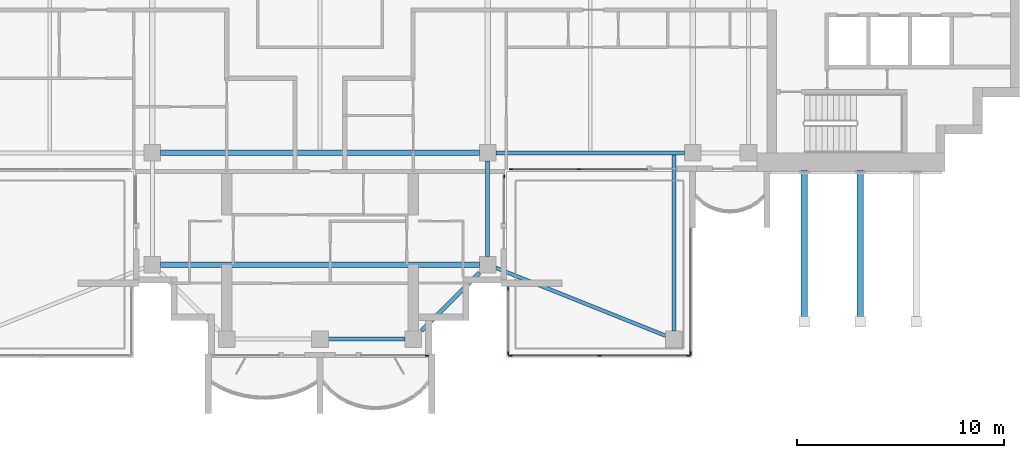
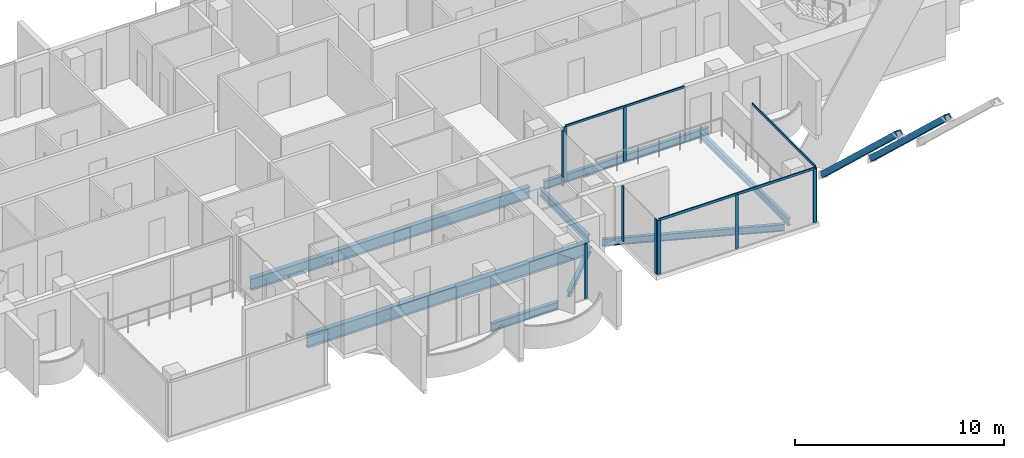
# One storey, part 3 of 18: 15 members, 8 beams, 6 elements without a shape of their own.
"""IFC4 building model written with IfcOpenShell, lengths in metres."""

from ifc_helpers import new_model, si_unit, direction, frame, origin, origin_2d, place, context, subcontext, project, spatial, rectangle, hollow_rectangle, i_section, extrude, material, material_profile, profile_set, type_object, element, aggregate, save


model = new_model("IFC4")

# Units and contexts
model_context = context("Model", 3, precision=1e-05, world=origin(), true_north=direction((0.0, 1.0)))
body_context = subcontext(model_context, "Body", "Model", "MODEL_VIEW")
ifc_project = project(units=[si_unit("LENGTHUNIT", "METRE"), si_unit("AREAUNIT", "SQUARE_METRE"), si_unit("VOLUMEUNIT", "CUBIC_METRE"), si_unit("PLANEANGLEUNIT", "RADIAN"), si_unit("MASSUNIT", "GRAM", prefix="KILO")], contexts=[model_context])

# Site, building, storey
site_placement = place(None, origin())
site = spatial("IfcSite", under=ifc_project, at=site_placement, CompositionType="ELEMENT")
building_placement = place(site_placement, origin())
building = spatial("IfcBuilding", under=site, at=building_placement, Name="Perihelion Cross Residences", CompositionType="ELEMENT")
storey_placement = place(building_placement, frame((0.0, 0.0, 281.5)))
storey = spatial("IfcBuildingStorey", under=building, at=storey_placement, Name="L72", CompositionType="ELEMENT", Elevation=281.5)

# Curtain wall, member
ifc_material_1 = material(Name="Bronze anodised aluminium, tinted glazing", Category="aluminium")
curtain_wall_type_1 = type_object("IfcCurtainWallType", Name="CW1", PredefinedType="NOTDEFINED", material=ifc_material_1)
curtain_wall_1_placement = place(storey_placement, origin())
curtain_wall_1 = element("IfcCurtainWall", 1, at=curtain_wall_1_placement, inside=storey, type_object=curtain_wall_type_1, Name="Curtain wall CW1 L72 south tip south bay 2", PredefinedType="NOTDEFINED")
ifc_material_2 = material(Name="Bronze anodised aluminium", Category="aluminium")
ifc_material_profile_1 = material_profile(ifc_material_2, rectangle(XDim=0.06005859375, YDim=0.159912109375, at=origin_2d()), Name="CW1 mullion")
ifc_profile_set_1 = profile_set([ifc_material_profile_1], Name="Bronze anodised aluminium")
member_type_1 = type_object("IfcMemberType", Name="CW1 mullion", PredefinedType="MULLION", material=ifc_profile_set_1)
member_1_placement = place(storey_placement, frame((5.169921875, -17.89990234375, 0.0), z_axis=(0.0, 0.0, 1.0), x_axis=(0.0, 1.0, 0.0)))
member_1 = element("IfcMember", 2, at=member_1_placement, type_object=member_type_1, Name="CW1 mullion 2", PredefinedType="MULLION", context=body_context, shape_type="SweptSolid", body=[
    extrude(rectangle(XDim=0.06005859375, YDim=0.159912109375, at=origin_2d()), origin(), (0.0, 0.0, 1.0), 3.199951171875),
])
aggregate(curtain_wall_1, [member_1])

curtain_wall_2_placement = place(storey_placement, origin())
curtain_wall_2 = element("IfcCurtainWall", 3, at=curtain_wall_2_placement, inside=storey, type_object=curtain_wall_type_1, Name="Curtain wall CW1 L72 south side east bay 1", PredefinedType="NOTDEFINED")
member_2_placement = place(storey_placement, frame((8.89990234375, -9.22998046875, 0.0), z_axis=(0.0, 0.0, 1.0), x_axis=(-1.0, 0.0, 0.0)))
member_2 = element("IfcMember", 4, at=member_2_placement, type_object=member_type_1, Name="CW1 mullion 2", PredefinedType="MULLION", context=body_context, shape_type="SweptSolid", body=[
    extrude(rectangle(XDim=0.06005859375, YDim=0.159912109375, at=origin_2d()), origin(), (0.0, 0.0, 1.0), 3.199951171875),
])
aggregate(curtain_wall_2, [member_2])

# Curtain wall, members
curtain_wall_3_placement = place(storey_placement, origin())
curtain_wall_3 = element("IfcCurtainWall", 5, at=curtain_wall_3_placement, inside=storey, type_object=curtain_wall_type_1, Name="Curtain wall CW1 L72 east side south bay 1", PredefinedType="NOTDEFINED")
member_3_placement = place(storey_placement, frame((9.22998046875, -8.89990234375, 0.0), z_axis=(0.0, 0.0, 1.0), x_axis=(0.0, 1.0, 0.0)))
member_3 = element("IfcMember", 6, at=member_3_placement, type_object=member_type_1, Name="CW1 mullion 1", PredefinedType="MULLION", context=body_context, shape_type="SweptSolid", body=[
    extrude(rectangle(XDim=0.06005859375, YDim=0.159912109375, at=origin_2d()), origin(), (0.0, 0.0, 1.0), 3.139892578125),
])
member_4_placement = place(storey_placement, frame((12.5, -8.89990234375, 0.0), z_axis=(0.0, 0.0, 1.0), x_axis=(0.0, 1.0, 0.0)))
member_4 = element("IfcMember", 7, at=member_4_placement, type_object=member_type_1, Name="CW1 mullion 2", PredefinedType="MULLION", context=body_context, shape_type="SweptSolid", body=[
    extrude(rectangle(XDim=0.06005859375, YDim=0.159912109375, at=origin_2d()), origin(), (0.0, 0.0, 1.0), 3.139892578125),
])
ifc_material_3 = material(Name="Bronze anodised aluminium", Category="aluminium")
ifc_material_profile_2 = material_profile(ifc_material_3, rectangle(XDim=0.06005859375, YDim=0.1201171875, at=origin_2d()), Name="CW1 transom")
ifc_profile_set_2 = profile_set([ifc_material_profile_2], Name="Bronze anodised aluminium")
member_type_2 = type_object("IfcMemberType", Name="CW1 transom", PredefinedType="USERDEFINED", material=ifc_profile_set_2)
member_5_placement = place(storey_placement, frame((9.22998046875, -8.89990234375, 3.169921875), z_axis=(1.0, 0.0, 0.0), x_axis=(0.0, 1.0, 0.0)))
member_5 = element("IfcMember", 8, at=member_5_placement, type_object=member_type_2, Name="CW1 head transom", ObjectType="TRANSOM", PredefinedType="USERDEFINED", context=body_context, shape_type="SweptSolid", body=[
    extrude(rectangle(XDim=0.06005859375, YDim=0.1201171875, at=origin_2d()), origin(), (0.0, 0.0, 1.0), 6.570068359375),
])
aggregate(curtain_wall_3, [member_3, member_4, member_5])

# Curtain wall, member
ifc_material_4 = material(Name="Bronze anodised aluminium, tinted glazing", Category="aluminium")
curtain_wall_type_2 = type_object("IfcCurtainWallType", Name="CW4", PredefinedType="NOTDEFINED", material=ifc_material_4)
curtain_wall_4_placement = place(storey_placement, origin())
curtain_wall_4 = element("IfcCurtainWall", 9, at=curtain_wall_4_placement, inside=storey, type_object=curtain_wall_type_2, Name="Curtain wall CW4 L72 pocket south-east 1 1", PredefinedType="NOTDEFINED")
ifc_material_5 = material(Name="Bronze anodised aluminium", Category="aluminium")
ifc_material_profile_3 = material_profile(ifc_material_5, rectangle(XDim=0.06005859375, YDim=0.179931640625, at=origin_2d()), Name="CW4 mullion")
ifc_profile_set_3 = profile_set([ifc_material_profile_3], Name="Bronze anodised aluminium")
member_type_3 = type_object("IfcMemberType", Name="CW4 mullion", PredefinedType="MULLION", material=ifc_profile_set_3)
member_6_placement = place(storey_placement, frame((17.89990234375, -17.800048828125, 0.0), z_axis=(0.0, 0.0, 1.0), x_axis=(1.0, 0.0, 0.0)))
member_6 = element("IfcMember", 10, at=member_6_placement, type_object=member_type_3, Name="CW4 mullion 2", PredefinedType="MULLION", context=body_context, shape_type="SweptSolid", body=[
    extrude(rectangle(XDim=0.06005859375, YDim=0.179931640625, at=origin_2d()), origin(), (0.0, 0.0, 1.0), 3.139892578125),
])

# Curtain wall, members
curtain_wall_5_placement = place(storey_placement, origin())
curtain_wall_5 = element("IfcCurtainWall", 11, at=curtain_wall_5_placement, inside=storey, type_object=curtain_wall_type_2, Name="Curtain wall CW4 L72 pocket south-east 1 2", PredefinedType="NOTDEFINED")
member_7_placement = place(storey_placement, frame((17.800048828125, -17.89990234375, 0.0), z_axis=(0.0, 0.0, 1.0), x_axis=(0.0, -1.0, 0.0)))
member_7 = element("IfcMember", 12, at=member_7_placement, type_object=member_type_3, Name="CW4 mullion 1", PredefinedType="MULLION", context=body_context, shape_type="SweptSolid", body=[
    extrude(rectangle(XDim=0.06005859375, YDim=0.179931640625, at=origin_2d()), origin(), (0.0, 0.0, 1.0), 3.139892578125),
])
member_8_placement = place(storey_placement, frame((13.5, -17.89990234375, 0.0), z_axis=(0.0, 0.0, 1.0), x_axis=(0.0, -1.0, 0.0)))
member_8 = element("IfcMember", 13, at=member_8_placement, type_object=member_type_3, Name="CW4 mullion 2", PredefinedType="MULLION", context=body_context, shape_type="SweptSolid", body=[
    extrude(rectangle(XDim=0.06005859375, YDim=0.179931640625, at=origin_2d()), origin(), (0.0, 0.0, 1.0), 3.139892578125),
])
member_9_placement = place(storey_placement, frame((9.199951171875, -17.89990234375, 0.0), z_axis=(0.0, 0.0, 1.0), x_axis=(0.0, -1.0, 0.0)))
member_9 = element("IfcMember", 14, at=member_9_placement, type_object=member_type_3, Name="CW4 mullion 3", PredefinedType="MULLION", context=body_context, shape_type="SweptSolid", body=[
    extrude(rectangle(XDim=0.06005859375, YDim=0.179931640625, at=origin_2d()), origin(), (0.0, 0.0, 1.0), 3.139892578125),
])

curtain_wall_6_placement = place(storey_placement, origin())
curtain_wall_6 = element("IfcCurtainWall", 15, at=curtain_wall_6_placement, inside=storey, type_object=curtain_wall_type_2, Name="Curtain wall CW4 L72 pocket south-east 1 3", PredefinedType="NOTDEFINED")
member_10_placement = place(storey_placement, frame((9.10009765625, -17.800048828125, 0.0), z_axis=(0.0, 0.0, 1.0), x_axis=(-1.0, 0.0, 0.0)))
member_10 = element("IfcMember", 16, at=member_10_placement, type_object=member_type_3, Name="CW4 mullion 1", PredefinedType="MULLION", context=body_context, shape_type="SweptSolid", body=[
    extrude(rectangle(XDim=0.06005859375, YDim=0.179931640625, at=origin_2d()), origin(), (0.0, 0.0, 1.0), 3.199951171875),
])
member_11_placement = place(storey_placement, frame((9.10009765625, -14.658935546875, 0.0), z_axis=(0.0, 0.0, 1.0), x_axis=(-1.0, 0.0, 0.0)))
member_11 = element("IfcMember", 17, at=member_11_placement, type_object=member_type_3, Name="CW4 mullion 2", PredefinedType="MULLION", context=body_context, shape_type="SweptSolid", body=[
    extrude(rectangle(XDim=0.06005859375, YDim=0.179931640625, at=origin_2d()), origin(), (0.0, 0.0, 1.0), 3.199951171875),
])
aggregate(curtain_wall_6, [member_10, member_11])

# Member
ifc_material_6 = material(Name="Bronze anodised aluminium", Category="aluminium")
ifc_material_profile_4 = material_profile(ifc_material_6, rectangle(XDim=0.06005859375, YDim=0.139892578125, at=origin_2d()), Name="CW4 transom")
ifc_profile_set_4 = profile_set([ifc_material_profile_4], Name="Bronze anodised aluminium")
member_type_4 = type_object("IfcMemberType", Name="CW4 transom", PredefinedType="USERDEFINED", material=ifc_profile_set_4)
member_12_placement = place(storey_placement, frame((17.89990234375, -11.77001953125, 3.169921875), z_axis=(0.0, -1.0, 0.0), x_axis=(1.0, 0.0, 0.0)))
member_12 = element("IfcMember", 18, at=member_12_placement, type_object=member_type_4, Name="CW4 head transom", ObjectType="TRANSOM", PredefinedType="USERDEFINED", context=body_context, shape_type="SweptSolid", body=[
    extrude(rectangle(XDim=0.06005859375, YDim=0.139892578125, at=origin_2d()), origin(), (0.0, 0.0, 1.0), 6.030029296875),
])

aggregate(curtain_wall_4, [member_6, member_12])

member_13_placement = place(storey_placement, frame((17.800048828125, -17.89990234375, 3.169921875), z_axis=(-1.0, 0.0, 0.0), x_axis=(0.0, -1.0, 0.0)))
member_13 = element("IfcMember", 19, at=member_13_placement, type_object=member_type_4, Name="CW4 head transom", ObjectType="TRANSOM", PredefinedType="USERDEFINED", context=body_context, shape_type="SweptSolid", body=[
    extrude(rectangle(XDim=0.06005859375, YDim=0.139892578125, at=origin_2d()), origin(), (0.0, 0.0, 1.0), 8.60009765625),
])

aggregate(curtain_wall_5, [member_7, member_8, member_9, member_13])

# Beams
ifc_material_7 = material(Name="Steel S355", Category="steel")
ifc_material_profile_5 = material_profile(ifc_material_7, i_section(OverallWidth=0.177978515625, OverallDepth=0.406005859375, WebThickness=0.0078125, FlangeThickness=0.0126953125, at=origin_2d()), Name="W410x60")
ifc_profile_set_5 = profile_set([ifc_material_profile_5], Name="Steel S355")
beam_type_1 = type_object("IfcBeamType", Name="Core edge beam W410x60", PredefinedType="BEAM", material=ifc_profile_set_5)
beam_1_placement = place(storey_placement, frame((17.10009765625, -8.197021484375, -0.452880859375), z_axis=(0.0, -1.0, 0.0), x_axis=(1.0, 0.0, 0.0)))
element("IfcBeam", 20, at=beam_1_placement, inside=storey, type_object=beam_type_1, Name="Core edge beam TB2 L72 corner no. 3", PredefinedType="BEAM", context=body_context, shape_type="SweptSolid", body=[
    extrude(i_section(OverallWidth=0.177978515625, OverallDepth=0.406005859375, WebThickness=0.0078125, FlangeThickness=0.0126953125, at=origin_2d()), origin(), (0.0, 0.0, 1.0), 8.5029296875),
])
beam_2_placement = place(storey_placement, frame((8.5, -13.659912109375, -0.452880859375), z_axis=(0.928474784399, -0.371395442534, 0.0), x_axis=(0.371395442534, 0.928474784399, 0.0)))
element("IfcBeam", 21, at=beam_2_placement, inside=storey, type_object=beam_type_1, Name="Core edge beam TB2 L72 corner no. 4", PredefinedType="BEAM", context=body_context, shape_type="SweptSolid", body=[
    extrude(i_section(OverallWidth=0.177978515625, OverallDepth=0.406005859375, WebThickness=0.0078125, FlangeThickness=0.0126953125, at=origin_2d()), origin(), (0.0, 0.0, 1.0), 8.83154296875),
])
ifc_material_8 = material(Name="Steel S355", Category="steel")
ifc_material_profile_6 = material_profile(ifc_material_8, i_section(OverallWidth=0.194091796875, OverallDepth=0.469970703125, WebThickness=0.0126953125, FlangeThickness=0.0205078125, at=origin_2d()), Name="W460x106")
ifc_profile_set_6 = profile_set([ifc_material_profile_6], Name="Steel S355")
beam_type_2 = type_object("IfcBeamType", Name="Edge beam W460x106", PredefinedType="SPANDREL", material=ifc_profile_set_6)
beam_3_placement = place(storey_placement, frame((0.39990234375, -17.10009765625, -0.485107421875), z_axis=(1.0, 0.0, 0.0), x_axis=(0.0, 1.0, 0.0)))
element("IfcBeam", 22, at=beam_3_placement, inside=storey, type_object=beam_type_2, Name="Edge beam SB5 L72 no. 7", PredefinedType="SPANDREL", context=body_context, shape_type="SweptSolid", body=[
    extrude(i_section(OverallWidth=0.194091796875, OverallDepth=0.469970703125, WebThickness=0.0126953125, FlangeThickness=0.0205078125, at=origin_2d()), origin(), (0.0, 0.0, 1.0), 3.7001953125),
])
beam_4_placement = place(storey_placement, frame((8.10009765625, -13.10009765625, -0.485107421875), z_axis=(0.0, 1.0, 0.0), x_axis=(-1.0, 0.0, 0.0)))
element("IfcBeam", 23, at=beam_4_placement, inside=storey, type_object=beam_type_2, Name="Edge beam SB5 L72 no. 11", PredefinedType="SPANDREL", context=body_context, shape_type="SweptSolid", body=[
    extrude(i_section(OverallWidth=0.194091796875, OverallDepth=0.469970703125, WebThickness=0.0126953125, FlangeThickness=0.0205078125, at=origin_2d()), origin(), (0.0, 0.0, 1.0), 4.60009765625),
])
beam_5_placement = place(storey_placement, frame((8.5, -8.10009765625, -0.485107421875), z_axis=(1.0, 0.0, 0.0), x_axis=(0.0, 1.0, 0.0)))
element("IfcBeam", 24, at=beam_5_placement, inside=storey, type_object=beam_type_2, Name="Edge beam SB5 L72 no. 12", PredefinedType="SPANDREL", context=body_context, shape_type="SweptSolid", body=[
    extrude(i_section(OverallWidth=0.194091796875, OverallDepth=0.469970703125, WebThickness=0.0126953125, FlangeThickness=0.0205078125, at=origin_2d()), origin(), (0.0, 0.0, 1.0), 9.10009765625),
])
ifc_material_9 = material(Name="Steel S355", Category="steel")
ifc_material_profile_7 = material_profile(ifc_material_9, i_section(OverallWidth=0.26708984375, OverallDepth=0.75390625, WebThickness=0.01318359375, FlangeThickness=0.01708984375, at=origin_2d()), Name="W760x147")
ifc_profile_set_7 = profile_set([ifc_material_profile_7], Name="Steel S355")
beam_type_3 = type_object("IfcBeamType", Name="Floor girder W760x147", PredefinedType="BEAM", material=ifc_profile_set_7)
beam_6_placement = place(storey_placement, frame((-7.699951171875, -13.5, -0.626953125), z_axis=(1.0, 0.0, 0.0), x_axis=(0.0, 1.0, 0.0)))
element("IfcBeam", 25, at=beam_6_placement, inside=storey, type_object=beam_type_3, Name="Girder G5 L72 no. 3", PredefinedType="BEAM", context=body_context, shape_type="SweptSolid", body=[
    extrude(i_section(OverallWidth=0.26708984375, OverallDepth=0.75390625, WebThickness=0.01318359375, FlangeThickness=0.01708984375, at=origin_2d()), origin(), (0.0, 0.0, 1.0), 15.39990234375),
])
ifc_material_10 = material(Name="Steel S355", Category="steel")
ifc_material_profile_8 = material_profile(ifc_material_10, i_section(OverallWidth=0.25390625, OverallDepth=0.677978515625, WebThickness=0.01171875, FlangeThickness=0.016357421875, at=origin_2d()), Name="W690x125")
ifc_profile_set_8 = profile_set([ifc_material_profile_8], Name="Steel S355")
beam_type_4 = type_object("IfcBeamType", Name="Hub ring girder W690x125", PredefinedType="BEAM", material=ifc_profile_set_8)
beam_7_placement = place(storey_placement, frame((-7.699951171875, -8.10009765625, -0.589111328125), z_axis=(1.0, 0.0, 0.0), x_axis=(0.0, 1.0, 0.0)))
element("IfcBeam", 26, at=beam_7_placement, inside=storey, type_object=beam_type_4, Name="Hub ring girder RG5 L72 no. 1", PredefinedType="BEAM", context=body_context, shape_type="SweptSolid", body=[
    extrude(i_section(OverallWidth=0.25390625, OverallDepth=0.677978515625, WebThickness=0.01171875, FlangeThickness=0.016357421875, at=origin_2d()), origin(), (0.0, 0.0, 1.0), 15.39990234375),
])
ifc_material_11 = material(Name="Steel S355", Category="steel")
ifc_material_profile_9 = material_profile(ifc_material_11, i_section(OverallWidth=0.202880859375, OverallDepth=0.302001953125, WebThickness=0.007568359375, FlangeThickness=0.01318359375, at=origin_2d()), Name="W310x60")
ifc_profile_set_9 = profile_set([ifc_material_profile_9], Name="Steel S355")
beam_type_5 = type_object("IfcBeamType", Name="Serration edge beam W310x60", PredefinedType="BEAM", material=ifc_profile_set_9)
beam_8_placement = place(storey_placement, frame((4.89990234375, -16.699951171875, -0.40087890625), z_axis=(0.707106781187, 0.707106781187, 0.0), x_axis=(-0.707106781187, 0.707106781187, 0.0)))
element("IfcBeam", 27, at=beam_8_placement, inside=storey, type_object=beam_type_5, Name="Serration edge beam EB5 L72 no. 2", PredefinedType="BEAM", context=body_context, shape_type="SweptSolid", body=[
    extrude(i_section(OverallWidth=0.202880859375, OverallDepth=0.302001953125, WebThickness=0.007568359375, FlangeThickness=0.01318359375, at=origin_2d()), origin(), (0.0, 0.0, 1.0), 3.9599609375),
])

# Members
ifc_material_12 = material(Name="Steel S355", Category="steel")
ifc_material_profile_10 = material_profile(ifc_material_12, hollow_rectangle(XDim=0.304931640625, YDim=0.304931640625, WallThickness=0.0126953125, at=origin_2d()), Name="HSS304.8x304.8x12.7")
ifc_profile_set_10 = profile_set([ifc_material_profile_10], Name="Steel S355")
member_type_5 = type_object("IfcMemberType", Name="Sky pool strut HSS304.8x304.8x12.7", PredefinedType="BRACE", material=ifc_profile_set_10)
for number, where, z_axis, x_axis, name in (
    (28, (23.39990234375, -9.050048828125, -4.5), (0.0, -0.729410209727, 0.684076564389), (1.0, 0.0, 0.0), "Strut CB5 L72 pool no. 1"),
    (29, (26.10009765625, -9.050048828125, -4.5), (0.0, -0.729410209727, 0.684076564389), (1.0, 0.0, 0.0), "Strut CB5 L72 pool no. 2"),
):
    element("IfcMember", number, at=place(storey_placement, frame(where, z_axis=z_axis, x_axis=x_axis)), inside=storey, type_object=member_type_5, Name=name, PredefinedType="BRACE", context=body_context, shape_type="SweptSolid", body=[
        extrude(hollow_rectangle(XDim=0.304931640625, YDim=0.304931640625, WallThickness=0.0126953125, at=origin_2d()), origin(), (0.0, 0.0, 1.0), 9.89306640625),
    ])

save(model, "model.ifc")
